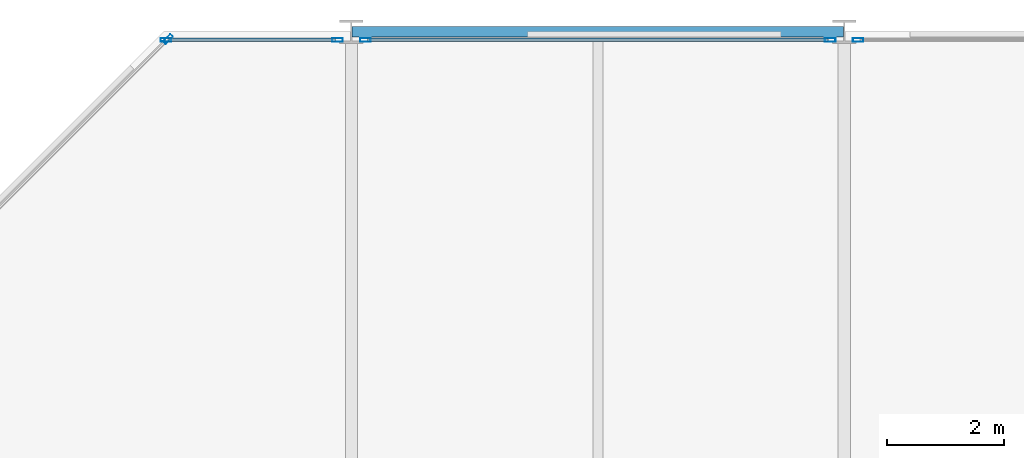
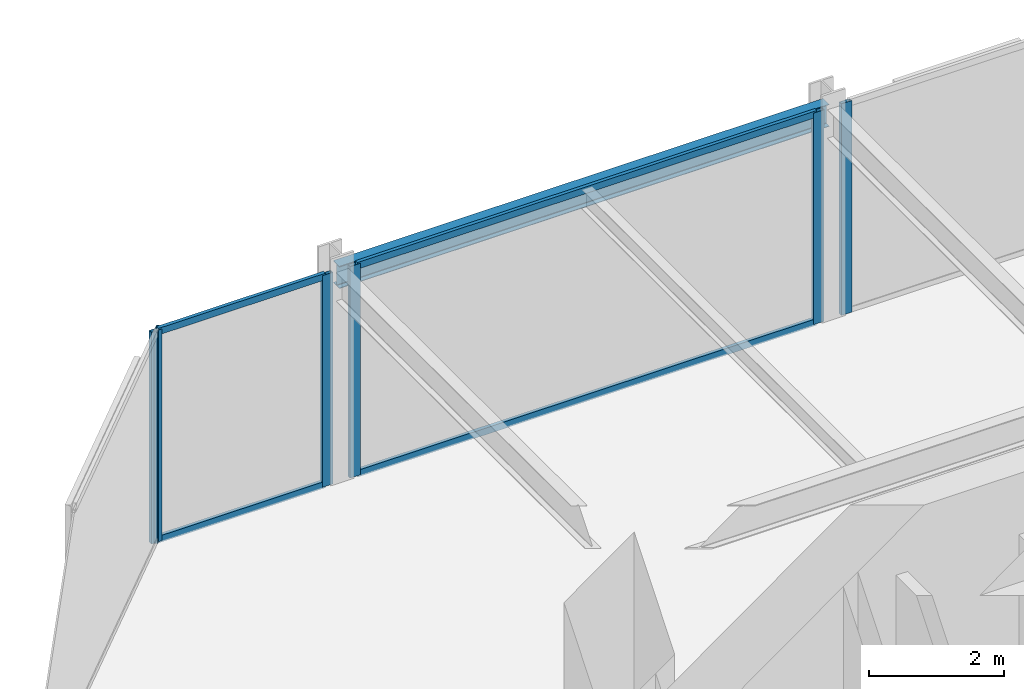
# One storey, part 21 of 29: 10 members, 1 beam, 4 elements without a shape of their own.
"""IFC4 building model written with IfcOpenShell, lengths in metres."""

from ifc_helpers import new_model, si_unit, direction, frame, origin, origin_2d, place, context, subcontext, project, spatial, hollow_rectangle, i_section, extrude, material, layer, layer_set, material_profile, profile_set, type_object, element, aggregate, save


model = new_model("IFC4")

# Units and contexts
model_context = context("Model", 3, precision=1e-05, world=origin(), true_north=direction((0.0, 1.0)))
body_context = subcontext(model_context, "Body", "Model", "MODEL_VIEW")
ifc_project = project(units=[si_unit("LENGTHUNIT", "METRE"), si_unit("AREAUNIT", "SQUARE_METRE"), si_unit("VOLUMEUNIT", "CUBIC_METRE"), si_unit("PLANEANGLEUNIT", "RADIAN"), si_unit("MASSUNIT", "GRAM", prefix="KILO")], contexts=[model_context])

# Site, building, storey
site_placement = place(None, origin())
site = spatial("IfcSite", under=ifc_project, at=site_placement, CompositionType="ELEMENT")
building_placement = place(site_placement, origin())
building = spatial("IfcBuilding", under=site, at=building_placement, Name="Nerrivon Quay Data Exchange", CompositionType="ELEMENT")
storey_placement = place(building_placement, frame((0.0, 0.0, 145.89990234375)))
storey = spatial("IfcBuildingStorey", under=building, at=storey_placement, Name="L34", CompositionType="ELEMENT", Elevation=145.89990234375)

# Beam
ifc_material_1 = material(Name="Steel Grade 350", Category="steel")
ifc_material_profile_1 = material_profile(ifc_material_1, i_section(OverallWidth=0.177978515625, OverallDepth=0.403076171875, WebThickness=0.007568359375, FlangeThickness=0.010986328125, FilletRadius=0.011474609375, at=origin_2d()), Name="410UB53.7")
ifc_profile_set_1 = profile_set([ifc_material_profile_1], Name="Steel Grade 350")
beam_type = type_object("IfcBeamType", Name="BM-SP2-410UB54", PredefinedType="SPANDREL", material=ifc_profile_set_1)
beam_placement = place(storey_placement, frame((8.41259765625, 50.39990234375, 3.62353515625), z_axis=(1.0, 0.0, 0.0), x_axis=(0.0, 1.0, 0.0)))
element("IfcBeam", 1, at=beam_placement, inside=storey, type_object=beam_type, Name="L34 EW Girder Y=50.4 (8.4..16.8)", PredefinedType="SPANDREL", context=body_context, shape_type="SweptSolid", body=[
    extrude(i_section(OverallWidth=0.177978515625, OverallDepth=0.403076171875, WebThickness=0.007568359375, FlangeThickness=0.010986328125, FilletRadius=0.011474609375, at=origin_2d()), origin(), (0.0, 0.0, 1.0), 8.375),
])

# Curtain wall, member
ifc_material_2 = material(Name="Anodised aluminium 6063-T6", Category="aluminium")
ifc_layer = layer(ifc_material_2, 0.2099609375)
ifc_layer_set = layer_set([ifc_layer], Name="Anodised aluminium 6063-T6")
curtain_wall_type = type_object("IfcCurtainWallType", Name="CW-SYS-02", PredefinedType="NOTDEFINED", material=ifc_layer_set)
curtain_wall_1_placement = place(storey_placement, origin())
curtain_wall_1 = element("IfcCurtainWall", 2, at=curtain_wall_1_placement, inside=storey, type_object=curtain_wall_type, Name="L34 Unitised Curtain Wall 17", PredefinedType="NOTDEFINED")
ifc_material_profile_2 = material_profile(ifc_material_2, hollow_rectangle(XDim=0.06494140625, YDim=0.179931640625, WallThickness=0.00341796875, at=origin_2d()), Name="ALU-MULL-180x65")
ifc_profile_set_2 = profile_set([ifc_material_profile_2], Name="Anodised aluminium 6063-T6")
member_type_1 = type_object("IfcMemberType", Name="CWM-180x65", PredefinedType="MULLION", material=ifc_profile_set_2)
member_1_placement = place(storey_placement, frame((5.2724609375, 50.2744140625, 0.0), z_axis=(0.0, 0.0, 1.0), x_axis=(-0.707106781187, 0.707106781187, 0.0)))
member_1 = element("IfcMember", 3, at=member_1_placement, type_object=member_type_1, Name="CW02 mullion 2", PredefinedType="MULLION", context=body_context, shape_type="SweptSolid", body=[
    extrude(hollow_rectangle(XDim=0.06494140625, YDim=0.179931640625, WallThickness=0.00341796875, at=origin_2d()), origin(), (0.0, 0.0, 1.0), 3.8251953125),
])
aggregate(curtain_wall_1, [member_1])

# Curtain wall, members
curtain_wall_2_placement = place(storey_placement, origin())
curtain_wall_2 = element("IfcCurtainWall", 4, at=curtain_wall_2_placement, inside=storey, type_object=curtain_wall_type, Name="L34 Unitised Curtain Wall 18", PredefinedType="NOTDEFINED")
member_2_placement = place(storey_placement, frame((5.237548828125, 50.260009765625, 0.0), z_axis=(0.0, 0.0, 1.0), x_axis=(0.0, 1.0, 0.0)))
member_2 = element("IfcMember", 5, at=member_2_placement, type_object=member_type_1, Name="CW02 mullion 1", PredefinedType="MULLION", context=body_context, shape_type="SweptSolid", body=[
    extrude(hollow_rectangle(XDim=0.06494140625, YDim=0.179931640625, WallThickness=0.00341796875, at=origin_2d()), origin(), (0.0, 0.0, 1.0), 3.8251953125),
])
member_3_placement = place(storey_placement, frame((8.16259765625, 50.260009765625, 0.0), z_axis=(0.0, 0.0, 1.0), x_axis=(0.0, 1.0, 0.0)))
member_3 = element("IfcMember", 6, at=member_3_placement, type_object=member_type_1, Name="CW02 mullion 2", PredefinedType="MULLION", context=body_context, shape_type="SweptSolid", body=[
    extrude(hollow_rectangle(XDim=0.06494140625, YDim=0.179931640625, WallThickness=0.00341796875, at=origin_2d()), origin(), (0.0, 0.0, 1.0), 3.8251953125),
])

curtain_wall_3_placement = place(storey_placement, origin())
curtain_wall_3 = element("IfcCurtainWall", 7, at=curtain_wall_3_placement, inside=storey, type_object=curtain_wall_type, Name="L34 Unitised Curtain Wall 19", PredefinedType="NOTDEFINED")
member_4_placement = place(storey_placement, frame((8.637451171875, 50.260009765625, 0.0), z_axis=(0.0, 0.0, 1.0), x_axis=(0.0, 1.0, 0.0)))
member_4 = element("IfcMember", 8, at=member_4_placement, type_object=member_type_1, Name="CW02 mullion 1", PredefinedType="MULLION", context=body_context, shape_type="SweptSolid", body=[
    extrude(hollow_rectangle(XDim=0.06494140625, YDim=0.179931640625, WallThickness=0.00341796875, at=origin_2d()), origin(), (0.0, 0.0, 1.0), 3.8251953125),
])
member_5_placement = place(storey_placement, frame((16.5625, 50.260009765625, 0.0), z_axis=(0.0, 0.0, 1.0), x_axis=(0.0, 1.0, 0.0)))
member_5 = element("IfcMember", 9, at=member_5_placement, type_object=member_type_1, Name="CW02 mullion 2", PredefinedType="MULLION", context=body_context, shape_type="SweptSolid", body=[
    extrude(hollow_rectangle(XDim=0.06494140625, YDim=0.179931640625, WallThickness=0.00341796875, at=origin_2d()), origin(), (0.0, 0.0, 1.0), 3.8251953125),
])

# Curtain wall, member
curtain_wall_4_placement = place(storey_placement, origin())
curtain_wall_4 = element("IfcCurtainWall", 10, at=curtain_wall_4_placement, inside=storey, type_object=curtain_wall_type, Name="L34 Unitised Curtain Wall 20", PredefinedType="NOTDEFINED")
member_6_placement = place(storey_placement, frame((17.03759765625, 50.260009765625, 0.0), z_axis=(0.0, 0.0, 1.0), x_axis=(0.0, 1.0, 0.0)))
member_6 = element("IfcMember", 11, at=member_6_placement, type_object=member_type_1, Name="CW02 mullion 1", PredefinedType="MULLION", context=body_context, shape_type="SweptSolid", body=[
    extrude(hollow_rectangle(XDim=0.06494140625, YDim=0.179931640625, WallThickness=0.00341796875, at=origin_2d()), origin(), (0.0, 0.0, 1.0), 3.8251953125),
])
aggregate(curtain_wall_4, [member_6])

# Member
ifc_material_profile_3 = material_profile(ifc_material_2, hollow_rectangle(XDim=0.06005859375, YDim=0.1201171875, WallThickness=0.003173828125, at=origin_2d()), Name="ALU-TRAN-120x60")
ifc_profile_set_3 = profile_set([ifc_material_profile_3], Name="Anodised aluminium 6063-T6")
member_type_2 = type_object("IfcMemberType", Name="CWT-120x60", PredefinedType="USERDEFINED", material=ifc_profile_set_3)
member_7_placement = place(storey_placement, frame((5.27490234375, 50.260009765625, 0.03271484375), z_axis=(1.0, 0.0, 0.0), x_axis=(0.0, 1.0, 0.0)))
member_7 = element("IfcMember", 12, at=member_7_placement, type_object=member_type_2, Name="CW02 transom 1.1", ObjectType="TRANSOM", PredefinedType="USERDEFINED", context=body_context, shape_type="SweptSolid", body=[
    extrude(hollow_rectangle(XDim=0.06005859375, YDim=0.1201171875, WallThickness=0.003173828125, at=origin_2d()), origin(), (0.0, 0.0, 1.0), 2.85009765625),
])

member_8_placement = place(storey_placement, frame((5.27490234375, 50.260009765625, 3.79248046875), z_axis=(1.0, 0.0, 0.0), x_axis=(0.0, 1.0, 0.0)))
member_8 = element("IfcMember", 13, at=member_8_placement, type_object=member_type_2, Name="CW02 transom 1.2", ObjectType="TRANSOM", PredefinedType="USERDEFINED", context=body_context, shape_type="SweptSolid", body=[
    extrude(hollow_rectangle(XDim=0.06005859375, YDim=0.1201171875, WallThickness=0.003173828125, at=origin_2d()), origin(), (0.0, 0.0, 1.0), 2.85009765625),
])

aggregate(curtain_wall_2, [member_2, member_3, member_7, member_8])

member_9_placement = place(storey_placement, frame((8.675048828125, 50.260009765625, 0.03271484375), z_axis=(1.0, 0.0, 0.0), x_axis=(0.0, 1.0, 0.0)))
member_9 = element("IfcMember", 14, at=member_9_placement, type_object=member_type_2, Name="CW02 transom 1.1", ObjectType="TRANSOM", PredefinedType="USERDEFINED", context=body_context, shape_type="SweptSolid", body=[
    extrude(hollow_rectangle(XDim=0.06005859375, YDim=0.1201171875, WallThickness=0.003173828125, at=origin_2d()), origin(), (0.0, 0.0, 1.0), 7.849853515625),
])

member_10_placement = place(storey_placement, frame((8.675048828125, 50.260009765625, 3.79248046875), z_axis=(1.0, 0.0, 0.0), x_axis=(0.0, 1.0, 0.0)))
member_10 = element("IfcMember", 15, at=member_10_placement, type_object=member_type_2, Name="CW02 transom 1.2", ObjectType="TRANSOM", PredefinedType="USERDEFINED", context=body_context, shape_type="SweptSolid", body=[
    extrude(hollow_rectangle(XDim=0.06005859375, YDim=0.1201171875, WallThickness=0.003173828125, at=origin_2d()), origin(), (0.0, 0.0, 1.0), 7.849853515625),
])

aggregate(curtain_wall_3, [member_4, member_5, member_9, member_10])

save(model, "model.ifc")
